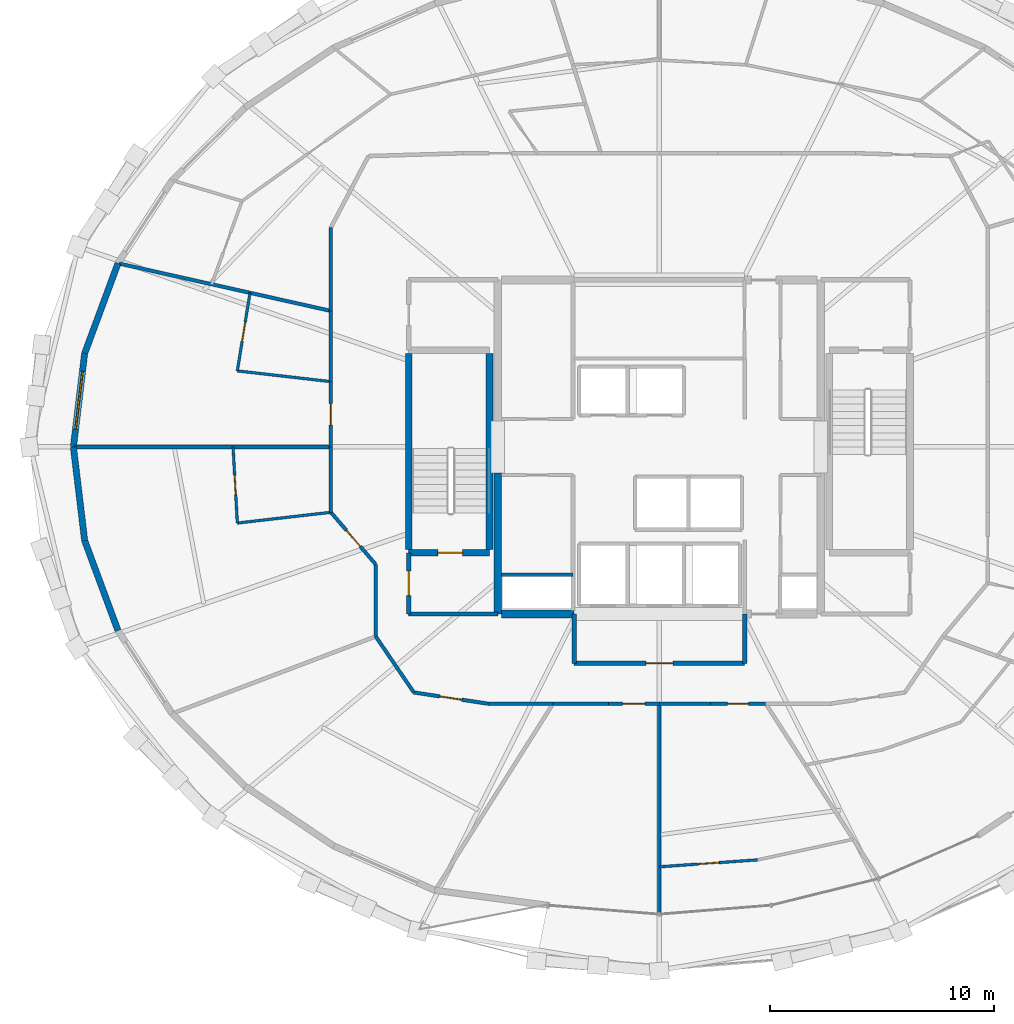
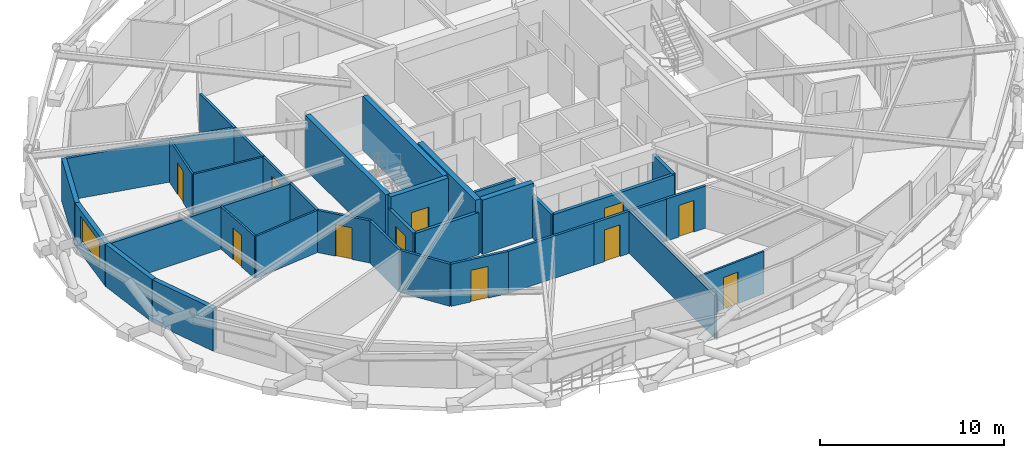
# One storey, part 14 of 19: 36 walls, 11 doors, 1 window, 12 openings.
"""IFC4 building model written with IfcOpenShell, lengths in metres."""

from ifc_helpers import new_model, si_unit, direction, frame, frame_2d, origin, place, context, subcontext, project, spatial, rectangle, extrude, material, layer, layer_set, type_object, element, fill, save


model = new_model("IFC4")

# Units and contexts
model_context = context("Model", 3, precision=1e-05, world=origin(), true_north=direction((0.0, 1.0)))
body_context = subcontext(model_context, "Body", "Model", "MODEL_VIEW")
ifc_project = project(units=[si_unit("LENGTHUNIT", "METRE"), si_unit("AREAUNIT", "SQUARE_METRE"), si_unit("VOLUMEUNIT", "CUBIC_METRE"), si_unit("PLANEANGLEUNIT", "RADIAN"), si_unit("MASSUNIT", "GRAM", prefix="KILO")], contexts=[model_context])

# Site, building, storey
site_placement = place(None, origin())
site = spatial("IfcSite", under=ifc_project, at=site_placement, CompositionType="ELEMENT")
building_placement = place(site_placement, origin())
building = spatial("IfcBuilding", under=site, at=building_placement, Name="Veldorina Hangang Commons", CompositionType="ELEMENT")
storey_placement = place(building_placement, frame((0.0, 0.0, 167.60009765625)))
storey = spatial("IfcBuildingStorey", under=building, at=storey_placement, Name="L43", CompositionType="ELEMENT", Elevation=167.60009765625)

# Walls
ifc_material_1 = material(Name="Concrete C60/75", Category="concrete")
ifc_layer_1 = layer(ifc_material_1, 0.340087890625)
ifc_layer_set_1 = layer_set([ifc_layer_1], Name="Concrete C60/75")
wall_type_1 = type_object("IfcWallType", Name="CW-RC340-C60", PredefinedType="SHEAR", material=ifc_layer_set_1)
wall_1_placement = place(storey_placement, frame((24.800048828125, 16.550048828125, 0.0), z_axis=(0.0, 0.0, 1.0), x_axis=(0.0, 1.0, 0.0)))
element("IfcWall", 1, at=wall_1_placement, inside=storey, type_object=wall_type_1, Name="L43 W south core shear wall", PredefinedType="SHEAR", context=body_context, shape_type="SweptSolid", body=[
    extrude(rectangle(XDim=6.300048828125, YDim=0.340087890625, at=frame_2d((3.14990234375, 0.0))), origin(), (0.0, 0.0, 1.0), 3.599853515625),
])
wall_2_placement = place(storey_placement, frame((24.969970703125, 16.550048828125, 0.0), z_axis=(0.0, 0.0, 1.0), x_axis=(1.0, 0.0, 0.0)))
element("IfcWall", 2, at=wall_2_placement, inside=storey, type_object=wall_type_1, Name="L43 south-west core shear wall", PredefinedType="SHEAR", context=body_context, shape_type="SweptSolid", body=[
    extrude(rectangle(XDim=3.22998046875, YDim=0.340087890625, at=frame_2d((1.614990234375, 0.0))), origin(), (0.0, 0.0, 1.0), 3.599853515625),
])
ifc_material_2 = material(Name="Stone Roman Travertine", Category="masonry")
ifc_layer_2 = layer(ifc_material_2, 0.280029296875)
ifc_layer_set_2 = layer_set([ifc_layer_2], Name="Stone Roman Travertine")
wall_type_2 = type_object("IfcWallType", Name="EW-TRAV-280", PredefinedType="STANDARD", material=ifc_layer_set_2)
wall_3_placement = place(storey_placement, frame((7.854248046875, 32.19189453125, 0.0), z_axis=(0.0, 0.0, 1.0), x_axis=(-0.34732178329, -0.937746009777, 0.0)))
element("IfcWall", 3, at=wall_3_placement, inside=storey, type_object=wall_type_2, Name="L43 travertine facade wall 14", PredefinedType="STANDARD", context=body_context, shape_type="SweptSolid", body=[
    extrude(rectangle(XDim=4.2822265625, YDim=0.280029296875, at=frame_2d((2.14111328125, 0.0))), origin(), (0.0, 0.0, 1.0), 2.81982421875),
])

# Wall, opening, window
wall_4_placement = place(storey_placement, frame((6.366943359375, 28.17626953125, 0.0), z_axis=(0.0, 0.0, 1.0), x_axis=(-0.119390105597, -0.992847421654, 0.0)))
wall_4 = element("IfcWall", 4, at=wall_4_placement, inside=storey, type_object=wall_type_2, Name="L43 travertine facade wall 15", PredefinedType="STANDARD", context=body_context, shape_type="SweptSolid", body=[
    extrude(rectangle(XDim=4.206298828125, YDim=0.280029296875, at=frame_2d((2.10302734375, 0.0))), origin(), (0.0, 0.0, 1.0), 2.81982421875),
])
opening_1_placement = place(wall_4_placement, frame((0.802978515625, 0.0, 0.800048828125)))
opening_1 = element("IfcOpeningElement", 5, at=opening_1_placement, cuts=wall_4, Name="Opening W-02", PredefinedType="OPENING", context=body_context, shape_type="SweptSolid", body=[
    extrude(rectangle(XDim=2.60009765625, YDim=1.64990234375, at=frame_2d((1.300048828125, 0.824951171875))), frame((0.0, 0.14990234375, 0.0), z_axis=(0.0, -1.0, 0.0), x_axis=(1.0, 0.0, 0.0)), (0.0, 0.0, 1.0), 0.300048828125),
])
ifc_material_3 = material(Name="Glass Low-E Triple IGU", Category="glass")
window_type = type_object("IfcWindowType", Name="WIN-TWR-2600", PartitioningType="SINGLE_PANEL", PredefinedType="WINDOW", material=ifc_material_3)
window_placement = place(opening_1_placement, origin())
window = element("IfcWindow", 6, at=window_placement, inside=storey, type_object=window_type, Name="L43 facade window 15", OverallHeight=1.64990234375, OverallWidth=2.60009765625, PartitioningType="SINGLE_PANEL", PredefinedType="WINDOW", context=body_context, shape_type="SweptSolid", body=[
    extrude(rectangle(XDim=2.60009765625, YDim=1.64990234375, at=frame_2d((1.300048828125, 0.824951171875))), frame((0.0, 0.030029296875, 0.0), z_axis=(0.0, -1.0, 0.0), x_axis=(1.0, 0.0, 0.0)), (0.0, 0.0, 1.0), 0.06005859375),
])
fill(opening_1, window)

# Walls
wall_5_placement = place(storey_placement, frame((5.86474609375, 24.0, 0.0), z_axis=(0.0, 0.0, 1.0), x_axis=(0.119390105597, -0.992847421654, 0.0)))
element("IfcWall", 7, at=wall_5_placement, inside=storey, type_object=wall_type_2, Name="L43 travertine facade wall 16", PredefinedType="STANDARD", context=body_context, shape_type="SweptSolid", body=[
    extrude(rectangle(XDim=4.206298828125, YDim=0.280029296875, at=frame_2d((2.10302734375, 0.0))), origin(), (0.0, 0.0, 1.0), 2.81982421875),
])
wall_6_placement = place(storey_placement, frame((6.366943359375, 19.82373046875, 0.0), z_axis=(0.0, 0.0, 1.0), x_axis=(0.34732178329, -0.937746009777, 0.0)))
element("IfcWall", 8, at=wall_6_placement, inside=storey, type_object=wall_type_2, Name="L43 travertine facade wall 17", PredefinedType="STANDARD", context=body_context, shape_type="SweptSolid", body=[
    extrude(rectangle(XDim=4.2822265625, YDim=0.280029296875, at=frame_2d((2.14111328125, 0.0))), origin(), (0.0, 0.0, 1.0), 2.81982421875),
])
ifc_material_4 = material(Name="Concrete C50/60", Category="concrete")
ifc_layer_3 = layer(ifc_material_4, 0.300048828125)
ifc_layer_set_3 = layer_set([ifc_layer_3], Name="Concrete C50/60")
wall_type_3 = type_object("IfcWallType", Name="SW-STAIR-300", PredefinedType="SHEAR", material=ifc_layer_set_3)
for number, where, z_axis, x_axis, name in (
    (9, (20.820068359375, 19.429931640625, 0.0), (0.0, 0.0, 1.0), (0.0, 1.0, 0.0), "L43 ST1 outer stair shear wall"),
    (10, (24.419921875, 19.429931640625, 0.0), (0.0, 0.0, 1.0), (0.0, 1.0, 0.0), "L43 ST1 inner stair shear wall"),
):
    element("IfcWall", number, at=place(storey_placement, frame(where, z_axis=z_axis, x_axis=x_axis)), inside=storey, type_object=wall_type_3, Name=name, PredefinedType="SHEAR", context=body_context, shape_type="SweptSolid", body=[
        extrude(rectangle(XDim=8.739990234375, YDim=0.300048828125, at=frame_2d((4.3701171875, 0.0))), origin(), (0.0, 0.0, 1.0), 3.599853515625),
    ])

# Wall, opening, door
wall_7_placement = place(storey_placement, frame((20.820068359375, 19.280029296875, 0.0), z_axis=(0.0, 0.0, 1.0), x_axis=(1.0, 0.0, 0.0)))
wall_7 = element("IfcWall", 11, at=wall_7_placement, inside=storey, type_object=wall_type_3, Name="L43 ST1 south stair shear wall", PredefinedType="SHEAR", context=body_context, shape_type="SweptSolid", body=[
    extrude(rectangle(XDim=3.599853515625, YDim=0.300048828125, at=frame_2d((1.7998046875, 0.0))), origin(), (0.0, 0.0, 1.0), 3.599853515625),
])
opening_2_placement = place(wall_7_placement, frame((1.300048828125, 0.0, 0.0)))
opening_2 = element("IfcOpeningElement", 12, at=opening_2_placement, cuts=wall_7, Name="Opening D-08", PredefinedType="OPENING", context=body_context, shape_type="SweptSolid", body=[
    extrude(rectangle(XDim=1.10009765625, YDim=2.10009765625, at=frame_2d((0.550048828125, 1.050048828125))), frame((0.0, 0.16015625, 0.0), z_axis=(0.0, -1.0, 0.0), x_axis=(1.0, 0.0, 0.0)), (0.0, 0.0, 1.0), 0.320068359375),
])
ifc_material_5 = material(Name="Steel Fire-Rated Smoke Seal", Category="steel")
door_type_1 = type_object("IfcDoorType", Name="DR-FIRE-1100", OperationType="SINGLE_SWING_RIGHT", PredefinedType="DOOR", material=ifc_material_5)
door_1_placement = place(opening_2_placement, origin())
door_1 = element("IfcDoor", 13, at=door_1_placement, inside=storey, type_object=door_type_1, Name="L43 Special Escape Stair ST-1 door", OperationType="SINGLE_SWING_LEFT", OverallHeight=2.10009765625, OverallWidth=1.10009765625, PredefinedType="DOOR", context=body_context, shape_type="SweptSolid", body=[
    extrude(rectangle(XDim=1.10009765625, YDim=2.10009765625, at=frame_2d((0.550048828125, 1.050048828125))), frame((0.0, 0.02490234375, 0.0), z_axis=(0.0, -1.0, 0.0), x_axis=(1.0, 0.0, 0.0)), (0.0, 0.0, 1.0), 0.050048828125),
])
fill(opening_2, door_1)

# Walls
ifc_material_6 = material(Name="Gypsum Fire-Rated Twin Stud Wall", Category="gypsum")
ifc_layer_4 = layer(ifc_material_6, 0.159912109375)
ifc_layer_set_4 = layer_set([ifc_layer_4], Name="Gypsum Fire-Rated Twin Stud Wall")
wall_type_4 = type_object("IfcWallType", Name="WL-FIRE-160", PredefinedType="SOLIDWALL", material=ifc_layer_set_4)
wall_8_placement = place(storey_placement, frame((24.949951171875, 18.300048828125, 0.0), z_axis=(0.0, 0.0, 1.0), x_axis=(1.0, 0.0, 0.0)))
element("IfcWall", 14, at=wall_8_placement, inside=storey, type_object=wall_type_4, Name="L43 Electrical riser wall 034", PredefinedType="SOLIDWALL", context=body_context, shape_type="SweptSolid", body=[
    extrude(rectangle(XDim=3.199951171875, YDim=0.159912109375, at=frame_2d((1.60009765625, 0.0))), origin(), (0.0, 0.0, 1.0), 2.7998046875),
])
wall_9_placement = place(storey_placement, frame((17.35009765625, 33.788818359375, 0.0), z_axis=(0.0, 0.0, 1.0), x_axis=(0.0, -1.0, 0.0)))
element("IfcWall", 15, at=wall_9_placement, inside=storey, type_object=wall_type_4, Name="L43 U-corridor outer wall 13 057", PredefinedType="SOLIDWALL", context=body_context, shape_type="SweptSolid", body=[
    extrude(rectangle(XDim=3.720703125, YDim=0.159912109375, at=frame_2d((1.8603515625, 0.0))), origin(), (0.0, 0.0, 1.0), 2.7998046875),
])
wall_10_placement = place(storey_placement, frame((17.35009765625, 30.068115234375, 0.0), z_axis=(0.0, 0.0, 1.0), x_axis=(0.0, -1.0, 0.0)))
element("IfcWall", 16, at=wall_10_placement, inside=storey, type_object=wall_type_4, Name="L43 U-corridor outer wall 14 058", PredefinedType="SOLIDWALL", context=body_context, shape_type="SweptSolid", body=[
    extrude(rectangle(XDim=3.154052734375, YDim=0.159912109375, at=frame_2d((1.5771484375, 0.0))), origin(), (0.0, 0.0, 1.0), 2.7998046875),
])

# Wall, opening, door
wall_11_placement = place(storey_placement, frame((17.35009765625, 26.9140625, 0.0), z_axis=(0.0, 0.0, 1.0), x_axis=(0.0, -1.0, 0.0)))
wall_11 = element("IfcWall", 17, at=wall_11_placement, inside=storey, type_object=wall_type_4, Name="L43 U-corridor outer wall 15 059", PredefinedType="SOLIDWALL", context=body_context, shape_type="SweptSolid", body=[
    extrude(rectangle(XDim=2.9140625, YDim=0.159912109375, at=frame_2d((1.45703125, 0.0))), origin(), (0.0, 0.0, 1.0), 2.7998046875),
])
opening_3_placement = place(wall_11_placement, frame((0.98193359375, 0.0, 0.0)))
opening_3 = element("IfcOpeningElement", 18, at=opening_3_placement, cuts=wall_11, Name="Opening D-03", PredefinedType="OPENING", context=body_context, shape_type="SweptSolid", body=[
    extrude(rectangle(XDim=0.949951171875, YDim=2.10009765625, at=frame_2d((0.47509765625, 1.050048828125))), frame((0.0, 0.08984375, 0.0), z_axis=(0.0, -1.0, 0.0), x_axis=(1.0, 0.0, 0.0)), (0.0, 0.0, 1.0), 0.179931640625),
])
ifc_material_7 = material(Name="Timber Fire-Rated Entrance Core", Category="wood")
door_type_2 = type_object("IfcDoorType", Name="DR-UNIT-950", OperationType="SINGLE_SWING_RIGHT", PredefinedType="DOOR", material=ifc_material_7)
door_2_placement = place(opening_3_placement, origin())
door_2 = element("IfcDoor", 19, at=door_2_placement, inside=storey, type_object=door_type_2, Name="L43 Studio 5 entrance door 038", OperationType="SINGLE_SWING_RIGHT", OverallHeight=2.10009765625, OverallWidth=0.949951171875, PredefinedType="DOOR", context=body_context, shape_type="SweptSolid", body=[
    extrude(rectangle(XDim=0.949951171875, YDim=2.10009765625, at=frame_2d((0.47509765625, 1.050048828125))), frame((0.0, 0.02490234375, 0.0), z_axis=(0.0, -1.0, 0.0), x_axis=(1.0, 0.0, 0.0)), (0.0, 0.0, 1.0), 0.050048828125),
])
fill(opening_3, door_2)

# Wall
wall_12_placement = place(storey_placement, frame((17.35009765625, 24.0, 0.0), z_axis=(0.0, 0.0, 1.0), x_axis=(0.0, -1.0, 0.0)))
element("IfcWall", 20, at=wall_12_placement, inside=storey, type_object=wall_type_4, Name="L43 U-corridor outer wall 16 060", PredefinedType="SOLIDWALL", context=body_context, shape_type="SweptSolid", body=[
    extrude(rectangle(XDim=2.9140625, YDim=0.159912109375, at=frame_2d((1.45703125, 0.0))), origin(), (0.0, 0.0, 1.0), 2.7998046875),
])

# Wall, opening, door
wall_13_placement = place(storey_placement, frame((17.35009765625, 21.0859375, 0.0), z_axis=(0.0, 0.0, 1.0), x_axis=(0.652022797448, -0.758199361388, 0.0)))
wall_13 = element("IfcWall", 21, at=wall_13_placement, inside=storey, type_object=wall_type_4, Name="L43 U-corridor outer wall 17 061", PredefinedType="SOLIDWALL", context=body_context, shape_type="SweptSolid", body=[
    extrude(rectangle(XDim=3.0673828125, YDim=0.159912109375, at=frame_2d((1.53369140625, 0.0))), origin(), (0.0, 0.0, 1.0), 2.7998046875),
])
opening_4_placement = place(wall_13_placement, frame((1.05859375, 0.0, 0.0)))
opening_4 = element("IfcOpeningElement", 22, at=opening_4_placement, cuts=wall_13, Name="Opening D-03", PredefinedType="OPENING", context=body_context, shape_type="SweptSolid", body=[
    extrude(rectangle(XDim=0.949951171875, YDim=2.10009765625, at=frame_2d((0.47509765625, 1.050048828125))), frame((0.0, 0.08984375, 0.0), z_axis=(0.0, -1.0, 0.0), x_axis=(1.0, 0.0, 0.0)), (0.0, 0.0, 1.0), 0.179931640625),
])
door_3_placement = place(opening_4_placement, origin())
door_3 = element("IfcDoor", 23, at=door_3_placement, inside=storey, type_object=door_type_2, Name="L43 Studio 6 entrance door 040", OperationType="SINGLE_SWING_RIGHT", OverallHeight=2.10009765625, OverallWidth=0.949951171875, PredefinedType="DOOR", context=body_context, shape_type="SweptSolid", body=[
    extrude(rectangle(XDim=0.949951171875, YDim=2.10009765625, at=frame_2d((0.47509765625, 1.050048828125))), frame((0.0, 0.02490234375, 0.0), z_axis=(0.0, -1.0, 0.0), x_axis=(1.0, 0.0, 0.0)), (0.0, 0.0, 1.0), 0.050048828125),
])
fill(opening_4, door_3)

# Walls
wall_14_placement = place(storey_placement, frame((19.35009765625, 18.76025390625, 0.0), z_axis=(0.0, 0.0, 1.0), x_axis=(0.0, -1.0, 0.0)))
element("IfcWall", 24, at=wall_14_placement, inside=storey, type_object=wall_type_4, Name="L43 U-corridor outer wall 18 062", PredefinedType="SOLIDWALL", context=body_context, shape_type="SweptSolid", body=[
    extrude(rectangle(XDim=3.212646484375, YDim=0.159912109375, at=frame_2d((1.6064453125, 0.0))), origin(), (0.0, 0.0, 1.0), 2.7998046875),
])
wall_15_placement = place(storey_placement, frame((19.35009765625, 15.547607421875, 0.0), z_axis=(0.0, 0.0, 1.0), x_axis=(0.562674669208, -0.826678423955, 0.0)))
element("IfcWall", 25, at=wall_15_placement, inside=storey, type_object=wall_type_4, Name="L43 U-corridor outer wall 19 063", PredefinedType="SOLIDWALL", context=body_context, shape_type="SweptSolid", body=[
    extrude(rectangle(XDim=3.021240234375, YDim=0.159912109375, at=frame_2d((1.5107421875, 0.0))), origin(), (0.0, 0.0, 1.0), 2.7998046875),
])

# Wall, opening, door
wall_16_placement = place(storey_placement, frame((21.050048828125, 13.050048828125, 0.0), z_axis=(0.0, 0.0, 1.0), x_axis=(0.988710906508, -0.149835721217, 0.0)))
wall_16 = element("IfcWall", 26, at=wall_16_placement, inside=storey, type_object=wall_type_4, Name="L43 U-corridor outer wall 20 064", PredefinedType="SOLIDWALL", context=body_context, shape_type="SweptSolid", body=[
    extrude(rectangle(XDim=3.3369140625, YDim=0.159912109375, at=frame_2d((1.66845703125, 0.0))), origin(), (0.0, 0.0, 1.0), 2.7998046875),
])
opening_5_placement = place(wall_16_placement, frame((1.16845703125, 0.0, 0.0)))
opening_5 = element("IfcOpeningElement", 27, at=opening_5_placement, cuts=wall_16, Name="Opening D-05", PredefinedType="OPENING", context=body_context, shape_type="SweptSolid", body=[
    extrude(rectangle(XDim=1.0, YDim=2.10009765625, at=frame_2d((0.5, 1.050048828125))), frame((0.0, 0.08984375, 0.0), z_axis=(0.0, -1.0, 0.0), x_axis=(1.0, 0.0, 0.0)), (0.0, 0.0, 1.0), 0.179931640625),
])
ifc_material_8 = material(Name="Timber Solid Core Acoustic", Category="wood")
door_type_3 = type_object("IfcDoorType", Name="DR-INT-1000", OperationType="SINGLE_SWING_RIGHT", PredefinedType="DOOR", material=ifc_material_8)
door_4_placement = place(opening_5_placement, origin())
door_4 = element("IfcDoor", 28, at=door_4_placement, inside=storey, type_object=door_type_3, Name="L43 Floor Study Room 7 door 041", OperationType="SINGLE_SWING_LEFT", OverallHeight=2.10009765625, OverallWidth=1.0, PredefinedType="DOOR", context=body_context, shape_type="SweptSolid", body=[
    extrude(rectangle(XDim=1.0, YDim=2.10009765625, at=frame_2d((0.5, 1.050048828125))), frame((0.0, 0.02490234375, 0.0), z_axis=(0.0, -1.0, 0.0), x_axis=(1.0, 0.0, 0.0)), (0.0, 0.0, 1.0), 0.050048828125),
])
fill(opening_5, door_4)

# Walls
wall_17_placement = place(storey_placement, frame((24.349365234375, 12.550048828125, 0.0), z_axis=(0.0, 0.0, 1.0), x_axis=(1.0, 0.0, 0.0)))
element("IfcWall", 29, at=wall_17_placement, inside=storey, type_object=wall_type_4, Name="L43 U-corridor outer wall 21 065", PredefinedType="SOLIDWALL", context=body_context, shape_type="SweptSolid", body=[
    extrude(rectangle(XDim=2.907958984375, YDim=0.159912109375, at=frame_2d((1.4541015625, 0.0))), origin(), (0.0, 0.0, 1.0), 2.7998046875),
])
wall_18_placement = place(storey_placement, frame((27.25732421875, 12.550048828125, 0.0), z_axis=(0.0, 0.0, 1.0), x_axis=(1.0, 0.0, 0.0)))
element("IfcWall", 30, at=wall_18_placement, inside=storey, type_object=wall_type_4, Name="L43 U-corridor outer wall 22 066", PredefinedType="SOLIDWALL", context=body_context, shape_type="SweptSolid", body=[
    extrude(rectangle(XDim=2.465087890625, YDim=0.159912109375, at=frame_2d((1.232421875, 0.0))), origin(), (0.0, 0.0, 1.0), 2.7998046875),
])

# Wall, opening, door
wall_19_placement = place(storey_placement, frame((29.722412109375, 12.550048828125, 0.0), z_axis=(0.0, 0.0, 1.0), x_axis=(1.0, 0.0, 0.0)))
wall_19 = element("IfcWall", 31, at=wall_19_placement, inside=storey, type_object=wall_type_4, Name="L43 U-corridor outer wall 23 067", PredefinedType="SOLIDWALL", context=body_context, shape_type="SweptSolid", body=[
    extrude(rectangle(XDim=2.277587890625, YDim=0.159912109375, at=frame_2d((1.138671875, 0.0))), origin(), (0.0, 0.0, 1.0), 2.7998046875),
])
opening_6_placement = place(wall_19_placement, frame((0.638671875, 0.0, 0.0)))
opening_6 = element("IfcOpeningElement", 32, at=opening_6_placement, cuts=wall_19, Name="Opening D-05", PredefinedType="OPENING", context=body_context, shape_type="SweptSolid", body=[
    extrude(rectangle(XDim=1.0, YDim=2.10009765625, at=frame_2d((0.5, 1.050048828125))), frame((0.0, 0.08984375, 0.0), z_axis=(0.0, -1.0, 0.0), x_axis=(1.0, 0.0, 0.0)), (0.0, 0.0, 1.0), 0.179931640625),
])
door_5_placement = place(opening_6_placement, origin())
door_5 = element("IfcDoor", 33, at=door_5_placement, inside=storey, type_object=door_type_3, Name="L43 Seminar Focus Room 8 door 042", OperationType="SINGLE_SWING_RIGHT", OverallHeight=2.10009765625, OverallWidth=1.0, PredefinedType="DOOR", context=body_context, shape_type="SweptSolid", body=[
    extrude(rectangle(XDim=1.0, YDim=2.10009765625, at=frame_2d((0.5, 1.050048828125))), frame((0.0, 0.02490234375, 0.0), z_axis=(0.0, -1.0, 0.0), x_axis=(1.0, 0.0, 0.0)), (0.0, 0.0, 1.0), 0.050048828125),
])
fill(opening_6, door_5)

# Wall
wall_20_placement = place(storey_placement, frame((32.0, 12.550048828125, 0.0), z_axis=(0.0, 0.0, 1.0), x_axis=(1.0, 0.0, 0.0)))
element("IfcWall", 34, at=wall_20_placement, inside=storey, type_object=wall_type_4, Name="L43 U-corridor outer wall 24 068", PredefinedType="SOLIDWALL", context=body_context, shape_type="SweptSolid", body=[
    extrude(rectangle(XDim=2.277587890625, YDim=0.159912109375, at=frame_2d((1.138671875, 0.0))), origin(), (0.0, 0.0, 1.0), 2.7998046875),
])

# Wall, opening, door
wall_21_placement = place(storey_placement, frame((34.277587890625, 12.550048828125, 0.0), z_axis=(0.0, 0.0, 1.0), x_axis=(1.0, 0.0, 0.0)))
wall_21 = element("IfcWall", 35, at=wall_21_placement, inside=storey, type_object=wall_type_4, Name="L43 U-corridor outer wall 25 069", PredefinedType="SOLIDWALL", context=body_context, shape_type="SweptSolid", body=[
    extrude(rectangle(XDim=2.465087890625, YDim=0.159912109375, at=frame_2d((1.232421875, 0.0))), origin(), (0.0, 0.0, 1.0), 2.7998046875),
])
opening_7_placement = place(wall_21_placement, frame((0.757568359375, 0.0, 0.0)))
opening_7 = element("IfcOpeningElement", 36, at=opening_7_placement, cuts=wall_21, Name="Opening D-02", PredefinedType="OPENING", context=body_context, shape_type="SweptSolid", body=[
    extrude(rectangle(XDim=0.949951171875, YDim=2.10009765625, at=frame_2d((0.47509765625, 1.050048828125))), frame((0.0, 0.08984375, 0.0), z_axis=(0.0, -1.0, 0.0), x_axis=(1.0, 0.0, 0.0)), (0.0, 0.0, 1.0), 0.179931640625),
])
door_type_4 = type_object("IfcDoorType", Name="DR-INT-950", OperationType="SINGLE_SWING_LEFT", PredefinedType="DOOR", material=ifc_material_8)
door_6_placement = place(opening_7_placement, origin())
door_6 = element("IfcDoor", 37, at=door_6_placement, inside=storey, type_object=door_type_4, Name="L43 Linen drying store door 043", OperationType="SINGLE_SWING_LEFT", OverallHeight=2.10009765625, OverallWidth=0.949951171875, PredefinedType="DOOR", context=body_context, shape_type="SweptSolid", body=[
    extrude(rectangle(XDim=0.949951171875, YDim=2.10009765625, at=frame_2d((0.47509765625, 1.050048828125))), frame((0.0, 0.02490234375, 0.0), z_axis=(0.0, -1.0, 0.0), x_axis=(1.0, 0.0, 0.0)), (0.0, 0.0, 1.0), 0.050048828125),
])
fill(opening_7, door_6)

# Walls
wall_22_placement = place(storey_placement, frame((17.35009765625, 30.068115234375, 0.0), z_axis=(0.0, 0.0, 1.0), x_axis=(-0.975886456244, 0.218278777072, 0.0)))
element("IfcWall", 38, at=wall_22_placement, inside=storey, type_object=wall_type_4, Name="L43 Unit party wall 14 112", PredefinedType="SOLIDWALL", context=body_context, shape_type="SweptSolid", body=[
    extrude(rectangle(XDim=9.680419921875, YDim=0.159912109375, at=frame_2d((4.84033203125, 0.0))), origin(), (0.0, 0.0, 1.0), 2.7998046875),
])
wall_23_placement = place(storey_placement, frame((17.35009765625, 24.0, 0.0), z_axis=(0.0, 0.0, 1.0), x_axis=(-1.0, 0.0, 0.0)))
element("IfcWall", 39, at=wall_23_placement, inside=storey, type_object=wall_type_4, Name="L43 Unit party wall 16 115", PredefinedType="SOLIDWALL", context=body_context, shape_type="SweptSolid", body=[
    extrude(rectangle(XDim=11.435302734375, YDim=0.159912109375, at=frame_2d((5.7177734375, 0.0))), origin(), (0.0, 0.0, 1.0), 2.7998046875),
])
wall_24_placement = place(storey_placement, frame((32.0, 12.550048828125, 0.0), z_axis=(0.0, 0.0, 1.0), x_axis=(0.0, -1.0, 0.0)))
element("IfcWall", 40, at=wall_24_placement, inside=storey, type_object=wall_type_4, Name="L43 Unit party wall 24 120", PredefinedType="SOLIDWALL", context=body_context, shape_type="SweptSolid", body=[
    extrude(rectangle(XDim=9.3466796875, YDim=0.159912109375, at=frame_2d((4.67333984375, 0.0))), origin(), (0.0, 0.0, 1.0), 2.7998046875),
])

# Wall, opening, door
ifc_material_9 = material(Name="Concrete Blockwork Fire Wall C30/37", Category="masonry")
ifc_layer_5 = layer(ifc_material_9, 0.199951171875)
ifc_layer_set_5 = layer_set([ifc_layer_5], Name="Concrete Blockwork Fire Wall C30/37")
wall_type_5 = type_object("IfcWallType", Name="WL-FIRE-200", PredefinedType="SOLIDWALL", material=ifc_layer_set_5)
wall_25_placement = place(storey_placement, frame((20.820068359375, 16.550048828125, 0.0), z_axis=(0.0, 0.0, 1.0), x_axis=(0.0, 1.0, 0.0)))
wall_25 = element("IfcWall", 41, at=wall_25_placement, inside=storey, type_object=wall_type_5, Name="L43 West vestibule outer wall 001", PredefinedType="SOLIDWALL", context=body_context, shape_type="SweptSolid", body=[
    extrude(rectangle(XDim=2.72998046875, YDim=0.199951171875, at=frame_2d((1.364990234375, 0.0))), origin(), (0.0, 0.0, 1.0), 2.7998046875),
])
opening_8_placement = place(wall_25_placement, frame((0.81494140625, 0.0, 0.0)))
opening_8 = element("IfcOpeningElement", 42, at=opening_8_placement, cuts=wall_25, Name="Opening D-08", PredefinedType="OPENING", context=body_context, shape_type="SweptSolid", body=[
    extrude(rectangle(XDim=1.10009765625, YDim=2.10009765625, at=frame_2d((0.550048828125, 1.050048828125))), frame((0.0, 0.10986328125, 0.0), z_axis=(0.0, -1.0, 0.0), x_axis=(1.0, 0.0, 0.0)), (0.0, 0.0, 1.0), 0.219970703125),
])
door_7_placement = place(opening_8_placement, origin())
door_7 = element("IfcDoor", 43, at=door_7_placement, inside=storey, type_object=door_type_1, Name="L43 West vestibule west door 001", OperationType="SINGLE_SWING_LEFT", OverallHeight=2.10009765625, OverallWidth=1.10009765625, PredefinedType="DOOR", context=body_context, shape_type="SweptSolid", body=[
    extrude(rectangle(XDim=1.10009765625, YDim=2.10009765625, at=frame_2d((0.550048828125, 1.050048828125))), frame((0.0, 0.02490234375, 0.0), z_axis=(0.0, -1.0, 0.0), x_axis=(1.0, 0.0, 0.0)), (0.0, 0.0, 1.0), 0.050048828125),
])
fill(opening_8, door_7)

# Walls
wall_26_placement = place(storey_placement, frame((20.820068359375, 16.550048828125, 0.0), z_axis=(0.0, 0.0, 1.0), x_axis=(1.0, 0.0, 0.0)))
element("IfcWall", 44, at=wall_26_placement, inside=storey, type_object=wall_type_5, Name="L43 West vestibule south wall 002", PredefinedType="SOLIDWALL", context=body_context, shape_type="SweptSolid", body=[
    extrude(rectangle(XDim=3.97998046875, YDim=0.199951171875, at=frame_2d((1.989990234375, 0.0))), origin(), (0.0, 0.0, 1.0), 2.7998046875),
])
for number, where, z_axis, x_axis, name in (
    (45, (28.199951171875, 14.35009765625, 0.0), (0.0, 0.0, 1.0), (0.0, 1.0, 0.0), "L43 FF lobby west wall 012"),
    (46, (35.800048828125, 14.35009765625, 0.0), (0.0, 0.0, 1.0), (0.0, 1.0, 0.0), "L43 FF lobby east wall 013"),
):
    element("IfcWall", number, at=place(storey_placement, frame(where, z_axis=z_axis, x_axis=x_axis)), inside=storey, type_object=wall_type_5, Name=name, PredefinedType="SOLIDWALL", context=body_context, shape_type="SweptSolid", body=[
        extrude(rectangle(XDim=2.199951171875, YDim=0.199951171875, at=frame_2d((1.10009765625, 0.0))), origin(), (0.0, 0.0, 1.0), 2.7998046875),
    ])

# Wall, opening, door
wall_27_placement = place(storey_placement, frame((28.199951171875, 14.35009765625, 0.0), z_axis=(0.0, 0.0, 1.0), x_axis=(1.0, 0.0, 0.0)))
wall_27 = element("IfcWall", 47, at=wall_27_placement, inside=storey, type_object=wall_type_5, Name="L43 FF lobby south wall 014", PredefinedType="SOLIDWALL", context=body_context, shape_type="SweptSolid", body=[
    extrude(rectangle(XDim=7.60009765625, YDim=0.199951171875, at=frame_2d((3.800048828125, 0.0))), origin(), (0.0, 0.0, 1.0), 2.7998046875),
])
opening_9_placement = place(wall_27_placement, frame((3.199951171875, 0.0, 0.0)))
opening_9 = element("IfcOpeningElement", 48, at=opening_9_placement, cuts=wall_27, Name="Opening D-09", PredefinedType="OPENING", context=body_context, shape_type="SweptSolid", body=[
    extrude(rectangle(XDim=1.199951171875, YDim=2.10009765625, at=frame_2d((0.60009765625, 1.050048828125))), frame((0.0, 0.10986328125, 0.0), z_axis=(0.0, -1.0, 0.0), x_axis=(1.0, 0.0, 0.0)), (0.0, 0.0, 1.0), 0.219970703125),
])
ifc_material_10 = material(Name="Steel Fire-Rated Corridor Door", Category="steel")
door_type_5 = type_object("IfcDoorType", Name="DR-FIRE-1200", OperationType="SINGLE_SWING_LEFT", PredefinedType="DOOR", material=ifc_material_10)
door_8_placement = place(opening_9_placement, origin())
door_8 = element("IfcDoor", 49, at=door_8_placement, inside=storey, type_object=door_type_5, Name="L43 FF lobby south corridor door 005", OperationType="SINGLE_SWING_LEFT", OverallHeight=2.10009765625, OverallWidth=1.199951171875, PredefinedType="DOOR", context=body_context, shape_type="SweptSolid", body=[
    extrude(rectangle(XDim=1.199951171875, YDim=2.10009765625, at=frame_2d((0.60009765625, 1.050048828125))), frame((0.0, 0.02490234375, 0.0), z_axis=(0.0, -1.0, 0.0), x_axis=(1.0, 0.0, 0.0)), (0.0, 0.0, 1.0), 0.050048828125),
])
fill(opening_9, door_8)

ifc_material_11 = material(Name="Gypsum Acoustic Stud Partition", Category="gypsum")
ifc_layer_6 = layer(ifc_material_11, 0.1201171875)
ifc_layer_set_6 = layer_set([ifc_layer_6], Name="Gypsum Acoustic Stud Partition")
wall_type_6 = type_object("IfcWallType", Name="WL-PART-120", PredefinedType="PARTITIONING", material=ifc_layer_set_6)
wall_28_placement = place(storey_placement, frame((13.74169921875, 30.875244140625, 0.0), z_axis=(0.0, 0.0, 1.0), x_axis=(-0.160244329289, -0.987077380417, 0.0)))
wall_28 = element("IfcWall", 50, at=wall_28_placement, inside=storey, type_object=wall_type_6, Name="L43 Studio 5 bath front wall 113", PredefinedType="PARTITIONING", context=body_context, shape_type="SweptSolid", body=[
    extrude(rectangle(XDim=3.527099609375, YDim=0.1201171875, at=frame_2d((1.763671875, 0.0))), origin(), (0.0, 0.0, 1.0), 2.7998046875),
])
opening_10_placement = place(wall_28_placement, frame((1.33349609375, 0.0, 0.0)))
opening_10 = element("IfcOpeningElement", 51, at=opening_10_placement, cuts=wall_28, Name="Opening D-01", PredefinedType="OPENING", context=body_context, shape_type="SweptSolid", body=[
    extrude(rectangle(XDim=0.860107421875, YDim=2.10009765625, at=frame_2d((0.43017578125, 1.050048828125))), frame((0.0, 0.070068359375, 0.0), z_axis=(0.0, -1.0, 0.0), x_axis=(1.0, 0.0, 0.0)), (0.0, 0.0, 1.0), 0.14013671875),
])
ifc_material_12 = material(Name="Timber Moisture-Resistant Core", Category="wood")
door_type_6 = type_object("IfcDoorType", Name="DR-WET-860", OperationType="SINGLE_SWING_LEFT", PredefinedType="DOOR", material=ifc_material_12)
door_9_placement = place(opening_10_placement, origin())
door_9 = element("IfcDoor", 52, at=door_9_placement, inside=storey, type_object=door_type_6, Name="L43 Studio 5 bathroom door 037", OperationType="SINGLE_SWING_LEFT", OverallHeight=2.10009765625, OverallWidth=0.860107421875, PredefinedType="DOOR", context=body_context, shape_type="SweptSolid", body=[
    extrude(rectangle(XDim=0.860107421875, YDim=2.10009765625, at=frame_2d((0.43017578125, 1.050048828125))), frame((0.0, 0.02490234375, 0.0), z_axis=(0.0, -1.0, 0.0), x_axis=(1.0, 0.0, 0.0)), (0.0, 0.0, 1.0), 0.050048828125),
])
fill(opening_10, door_9)

# Wall
wall_29_placement = place(storey_placement, frame((17.35009765625, 26.9140625, 0.0), z_axis=(0.0, 0.0, 1.0), x_axis=(-0.993458472939, 0.114193968957, 0.0)))
element("IfcWall", 53, at=wall_29_placement, inside=storey, type_object=wall_type_6, Name="L43 Studio 5 bath side wall 114", PredefinedType="PARTITIONING", context=body_context, shape_type="SweptSolid", body=[
    extrude(rectangle(XDim=4.201171875, YDim=0.1201171875, at=frame_2d((2.1005859375, 0.0))), origin(), (0.0, 0.0, 1.0), 2.7998046875),
])

# Wall, opening, door
wall_30_placement = place(storey_placement, frame((12.985595703125, 24.0, 0.0), z_axis=(0.0, 0.0, 1.0), x_axis=(0.056166143668, -0.998421436221, 0.0)))
wall_30 = element("IfcWall", 54, at=wall_30_placement, inside=storey, type_object=wall_type_6, Name="L43 Studio 6 bath front wall 116", PredefinedType="PARTITIONING", context=body_context, shape_type="SweptSolid", body=[
    extrude(rectangle(XDim=3.399169921875, YDim=0.1201171875, at=frame_2d((1.69970703125, 0.0))), origin(), (0.0, 0.0, 1.0), 2.7998046875),
])
opening_11_placement = place(wall_30_placement, frame((1.26953125, 0.0, 0.0)))
opening_11 = element("IfcOpeningElement", 55, at=opening_11_placement, cuts=wall_30, Name="Opening D-01", PredefinedType="OPENING", context=body_context, shape_type="SweptSolid", body=[
    extrude(rectangle(XDim=0.860107421875, YDim=2.10009765625, at=frame_2d((0.43017578125, 1.050048828125))), frame((0.0, 0.070068359375, 0.0), z_axis=(0.0, -1.0, 0.0), x_axis=(1.0, 0.0, 0.0)), (0.0, 0.0, 1.0), 0.14013671875),
])
door_10_placement = place(opening_11_placement, origin())
door_10 = element("IfcDoor", 56, at=door_10_placement, inside=storey, type_object=door_type_6, Name="L43 Studio 6 bathroom door 039", OperationType="SINGLE_SWING_LEFT", OverallHeight=2.10009765625, OverallWidth=0.860107421875, PredefinedType="DOOR", context=body_context, shape_type="SweptSolid", body=[
    extrude(rectangle(XDim=0.860107421875, YDim=2.10009765625, at=frame_2d((0.43017578125, 1.050048828125))), frame((0.0, 0.02490234375, 0.0), z_axis=(0.0, -1.0, 0.0), x_axis=(1.0, 0.0, 0.0)), (0.0, 0.0, 1.0), 0.050048828125),
])
fill(opening_11, door_10)

# Wall
wall_31_placement = place(storey_placement, frame((17.35009765625, 21.0859375, 0.0), z_axis=(0.0, 0.0, 1.0), x_axis=(-0.993458472939, -0.114193968957, 0.0)))
element("IfcWall", 57, at=wall_31_placement, inside=storey, type_object=wall_type_6, Name="L43 Studio 6 bath side wall 117", PredefinedType="PARTITIONING", context=body_context, shape_type="SweptSolid", body=[
    extrude(rectangle(XDim=4.201171875, YDim=0.1201171875, at=frame_2d((2.1005859375, 0.0))), origin(), (0.0, 0.0, 1.0), 2.7998046875),
])

# Wall, opening, door
wall_32_placement = place(storey_placement, frame((32.0, 5.272705078125, 0.0), z_axis=(0.0, 0.0, 1.0), x_axis=(0.997497239471, 0.070705425875, 0.0)))
wall_32 = element("IfcWall", 58, at=wall_32_placement, inside=storey, type_object=wall_type_6, Name="L43 Laundry split 0 121", PredefinedType="PARTITIONING", context=body_context, shape_type="SweptSolid", body=[
    extrude(rectangle(XDim=4.388671875, YDim=0.1201171875, at=frame_2d((2.1943359375, 0.0))), origin(), (0.0, 0.0, 1.0), 2.7998046875),
])
opening_12_placement = place(wall_32_placement, frame((1.719482421875, 0.0, 0.0)))
opening_12 = element("IfcOpeningElement", 59, at=opening_12_placement, cuts=wall_32, Name="Opening D-02", PredefinedType="OPENING", context=body_context, shape_type="SweptSolid", body=[
    extrude(rectangle(XDim=0.949951171875, YDim=2.10009765625, at=frame_2d((0.47509765625, 1.050048828125))), frame((0.0, 0.070068359375, 0.0), z_axis=(0.0, -1.0, 0.0), x_axis=(1.0, 0.0, 0.0)), (0.0, 0.0, 1.0), 0.14013671875),
])
door_11_placement = place(opening_12_placement, origin())
door_11 = element("IfcDoor", 60, at=door_11_placement, inside=storey, type_object=door_type_4, Name="L43 Resident laundry inner door 044", OperationType="SINGLE_SWING_RIGHT", OverallHeight=2.10009765625, OverallWidth=0.949951171875, PredefinedType="DOOR", context=body_context, shape_type="SweptSolid", body=[
    extrude(rectangle(XDim=0.949951171875, YDim=2.10009765625, at=frame_2d((0.47509765625, 1.050048828125))), frame((0.0, 0.02490234375, 0.0), z_axis=(0.0, -1.0, 0.0), x_axis=(1.0, 0.0, 0.0)), (0.0, 0.0, 1.0), 0.050048828125),
])
fill(opening_12, door_11)

save(model, "model.ifc")
